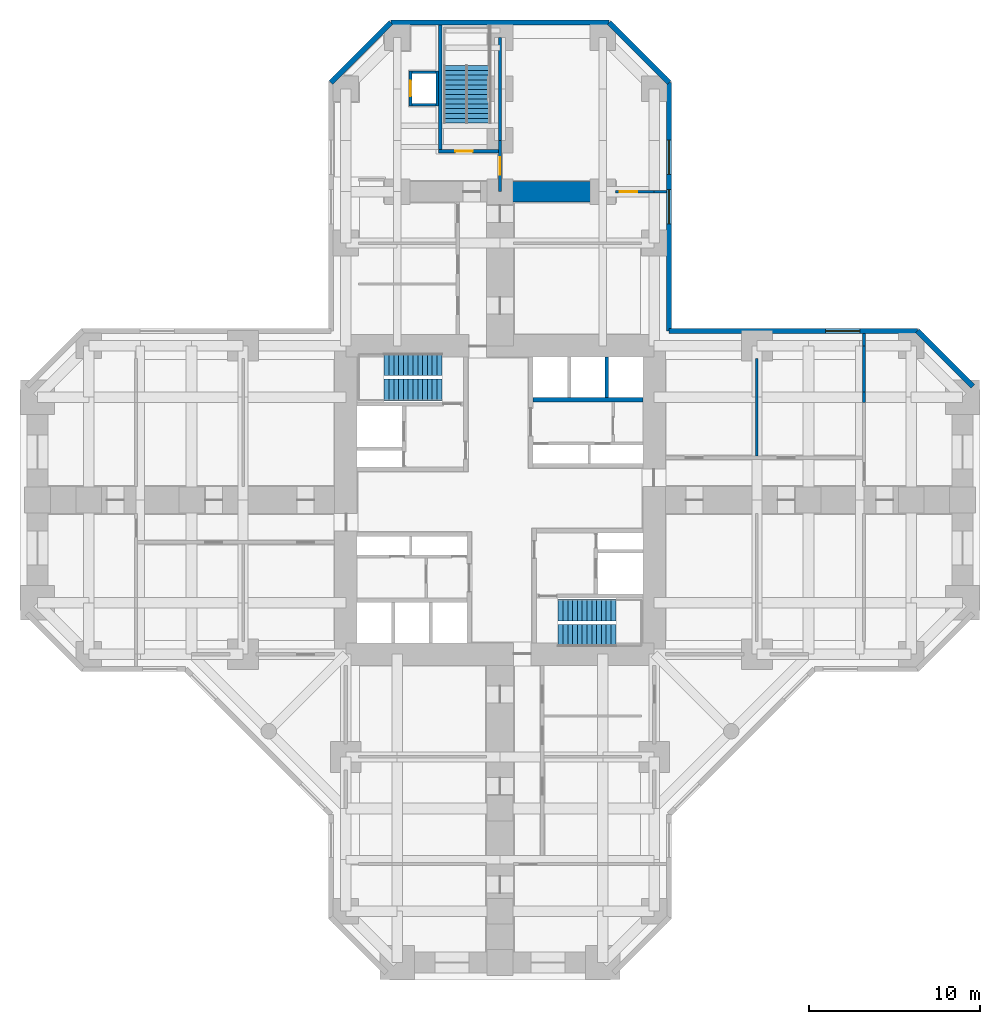
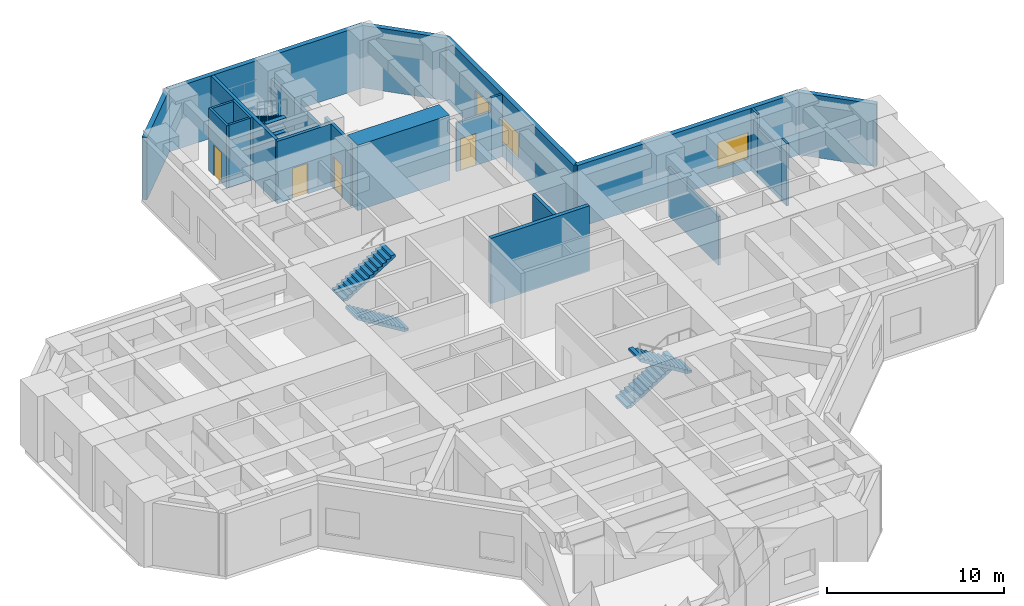
# One storey, part 7 of 8: 23 walls, 6 stair flights, 4 doors, 3 windows, 7 openings, 3 elements without a shape of their own.
"""IFC4 building model written with IfcOpenShell, lengths in metres."""

from ifc_helpers import new_model, si_unit, direction, frame, frame_2d, origin, place, context, subcontext, project, spatial, polyline, rectangle, hollow_rectangle, outline, extrude, material, layer, layer_set, constituent, constituent_set, type_object, element, fill, aggregate, save


model = new_model("IFC4")

# Units and contexts
model_context = context("Model", 3, precision=1e-05, world=origin(), true_north=direction((0.0, 1.0)))
body_context = subcontext(model_context, "Body", "Model", "MODEL_VIEW")
ifc_project = project(units=[si_unit("LENGTHUNIT", "METRE"), si_unit("AREAUNIT", "SQUARE_METRE"), si_unit("VOLUMEUNIT", "CUBIC_METRE"), si_unit("PLANEANGLEUNIT", "RADIAN"), si_unit("MASSUNIT", "GRAM", prefix="KILO")], contexts=[model_context])

# Site, building, storey
site_placement = place(None, origin())
site = spatial("IfcSite", under=ifc_project, at=site_placement, CompositionType="ELEMENT")
building_placement = place(site_placement, origin())
building = spatial("IfcBuilding", under=site, at=building_placement, Name="Torre Cruceta", CompositionType="ELEMENT")
storey_placement = place(building_placement, frame((0.0, 0.0, 9.5)))
storey = spatial("IfcBuildingStorey", under=building, at=storey_placement, Name="L02", CompositionType="ELEMENT", Elevation=9.5)

# Wall
ifc_material_1 = material(Name="Concrete G60 (fck 60 MPa)", Category="concrete")
ifc_layer_1 = layer(ifc_material_1, 0.25)
ifc_layer_set_1 = layer_set([ifc_layer_1], Name="Concrete G60 (fck 60 MPa)")
wall_type_1 = type_object("IfcWallType", Name="CORE INNER WALL 250 G60", PredefinedType="SHEAR", material=ifc_layer_set_1)
wall_1_placement = place(storey_placement, frame((1.925048828125, 5.85009765625, 0.0), z_axis=(0.0, 0.0, 1.0), x_axis=(1.0, 0.0, 0.0)))
element("IfcWall", 1, at=wall_1_placement, inside=storey, type_object=wall_type_1, Name="CW4 L02 NE-LV", PredefinedType="SHEAR", context=body_context, shape_type="SweptSolid", body=[
    extrude(rectangle(XDim=6.425048828125, YDim=0.25, at=frame_2d((3.21240234375, 0.0))), origin(), (0.0, 0.0, 1.0), 4.5),
])

# Wall, opening, door
ifc_material_2 = material(Name="Concrete G25 (fck 25 MPa)", Category="concrete")
ifc_layer_2 = layer(ifc_material_2, 0.199951171875)
ifc_layer_set_2 = layer_set([ifc_layer_2], Name="Concrete G25 (fck 25 MPa)")
wall_type_2 = type_object("IfcWallType", Name="CORRIDOR WALL 200", PredefinedType="SOLIDWALL", material=ifc_layer_set_2)
wall_2_placement = place(storey_placement, frame((0.0, 18.0, 0.0), z_axis=(0.0, 0.0, 1.0), x_axis=(0.0, 1.0, 0.0)))
wall_2 = element("IfcWall", 2, at=wall_2_placement, inside=storey, type_object=wall_type_2, Name="PT3 spine line L02 N", PredefinedType="SOLIDWALL", context=body_context, shape_type="SweptSolid", body=[
    extrude(rectangle(XDim=3.0, YDim=0.199951171875, at=frame_2d((1.5, 0.0))), origin(), (0.0, 0.0, 1.0), 4.300048828125),
])
opening_1_placement = place(wall_2_placement, frame((1.0, 0.0, 0.0)))
opening_1 = element("IfcOpeningElement", 3, at=opening_1_placement, cuts=wall_2, Name="Opening D14", PredefinedType="OPENING", context=body_context, shape_type="SweptSolid", body=[
    extrude(rectangle(XDim=1.0, YDim=2.199951171875, at=frame_2d((0.5, 1.10009765625))), frame((0.0, 0.10986328125, 0.0), z_axis=(0.0, -1.0, 0.0), x_axis=(1.0, 0.0, 0.0)), (0.0, 0.0, 1.0), 0.219970703125),
])
ifc_material_3 = material(Name="Steel DX51D", Category="steel")
ifc_constituent_1 = constituent(ifc_material_3, Name="Leaf and frame")
ifc_material_4 = material(Name="Polyester powder coating", Category="paint")
ifc_constituent_2 = constituent(ifc_material_4, Name="Finish")
ifc_material_5 = material(Name="Fire-resisting glass", Category="glass")
ifc_constituent_3 = constituent(ifc_material_5, Name="Vision panel")
ifc_constituent_set_1 = constituent_set(constituents=[ifc_constituent_1, ifc_constituent_2, ifc_constituent_3], Name="Steel fire door with vision panel")
door_type_1 = type_object("IfcDoorType", Name="FIRE DOOR VISION PANEL 1000X2200", OperationType="SINGLE_SWING_RIGHT", PredefinedType="DOOR", material=ifc_constituent_set_1)
door_1_placement = place(opening_1_placement, frame((1.0, 0.0, 0.0), z_axis=(0.0, 0.0, 1.0), x_axis=(-1.0, 0.0, 0.0)))
door_1 = element("IfcDoor", 4, at=door_1_placement, inside=storey, type_object=door_type_1, Name="D14 L02-N-SP3", OperationType="SINGLE_SWING_RIGHT", OverallHeight=2.199951171875, OverallWidth=1.0, PredefinedType="DOOR", context=body_context, shape_type="SweptSolid", body=[
    extrude(rectangle(XDim=1.0, YDim=2.199951171875, at=frame_2d((0.5, 1.10009765625))), frame((0.0, 0.025146484375, 0.0), z_axis=(0.0, -1.0, 0.0), x_axis=(1.0, 0.0, 0.0)), (0.0, 0.0, 1.0), 0.050048828125),
])
fill(opening_1, door_1)

# Walls
wall_3_placement = place(storey_placement, frame((0.0, 21.0, 0.0), z_axis=(0.0, 0.0, 1.0), x_axis=(0.0, 1.0, 0.0)))
element("IfcWall", 5, at=wall_3_placement, inside=storey, type_object=wall_type_2, Name="PT3 spine line L02 N 2", PredefinedType="SOLIDWALL", context=body_context, shape_type="SweptSolid", body=[
    extrude(rectangle(XDim=6.0, YDim=0.199951171875, at=frame_2d((3.0, 0.0))), origin(), (0.0, 0.0, 1.0), 3.300048828125),
])
ifc_material_6 = material(Name="Concrete G60 (fck 60 MPa)", Category="concrete")
ifc_layer_3 = layer(ifc_material_6, 1.199951171875)
ifc_layer_set_3 = layer_set([ifc_layer_3], Name="Concrete G60 (fck 60 MPa)")
wall_type_3 = type_object("IfcWallType", Name="CROSS WALL 1200 G60", PredefinedType="SHEAR", material=ifc_layer_set_3)
wall_4_placement = place(storey_placement, frame((0.0, 18.0, 0.0), z_axis=(0.0, 0.0, 1.0), x_axis=(1.0, 0.0, 0.0)))
element("IfcWall", 6, at=wall_4_placement, inside=storey, type_object=wall_type_3, Name="XW1 cross wall L02 N R", PredefinedType="SHEAR", context=body_context, shape_type="SweptSolid", body=[
    extrude(rectangle(XDim=6.0, YDim=1.199951171875, at=frame_2d((3.0, 0.0))), origin(), (0.0, 0.0, 1.0), 4.5),
])
ifc_material_7 = material(Name="Concrete G30 (fck 30 MPa)", Category="concrete")
ifc_layer_4 = layer(ifc_material_7, 0.300048828125)
ifc_layer_set_4 = layer_set([ifc_layer_4], Name="Concrete G30 (fck 30 MPa)")
wall_type_4 = type_object("IfcWallType", Name="EXPOSED CONCRETE FACADE WALL 300", PredefinedType="SOLIDWALL", material=ifc_layer_set_4)
wall_5_placement = place(storey_placement, frame((27.60009765625, 6.63037109375, 0.0), z_axis=(0.0, 0.0, 1.0), x_axis=(-0.707106781187, 0.707106781187, 0.0)))
element("IfcWall", 7, at=wall_5_placement, inside=storey, type_object=wall_type_4, Name="EW1 facade wall L02 E chamfer 03", PredefinedType="SOLIDWALL", context=body_context, shape_type="SweptSolid", body=[
    extrude(rectangle(XDim=4.581787109375, YDim=0.300048828125, at=frame_2d((2.291015625, 0.0))), origin(), (0.0, 0.0, 1.0), 4.300048828125),
])

# Wall, opening, window
wall_6_placement = place(storey_placement, frame((24.3603515625, 9.8701171875, 0.0), z_axis=(0.0, 0.0, 1.0), x_axis=(-1.0, 0.0, 0.0)))
wall_6 = element("IfcWall", 8, at=wall_6_placement, inside=storey, type_object=wall_type_4, Name="EW1 facade wall L02 E side 04", PredefinedType="SOLIDWALL", context=body_context, shape_type="SweptSolid", body=[
    extrude(rectangle(XDim=14.490234375, YDim=0.300048828125, at=frame_2d((7.2451171875, 0.0))), origin(), (0.0, 0.0, 1.0), 4.300048828125),
])
opening_2_placement = place(wall_6_placement, frame((3.34716796875, 0.0, 0.89990234375)))
opening_2 = element("IfcOpeningElement", 9, at=opening_2_placement, cuts=wall_6, Name="Opening WN1", PredefinedType="OPENING", context=body_context, shape_type="SweptSolid", body=[
    extrude(rectangle(XDim=2.0, YDim=1.800048828125, at=frame_2d((1.0, 0.89990234375))), frame((0.0, 0.159912109375, 0.0), z_axis=(0.0, -1.0, 0.0), x_axis=(1.0, 0.0, 0.0)), (0.0, 0.0, 1.0), 0.320068359375),
])
ifc_material_8 = material(Name="Aluminium window frame", Category="aluminium")
ifc_constituent_4 = constituent(ifc_material_8, Name="Frame")
ifc_material_9 = material(Name="Laminated insulating glass unit, low-iron clear", Category="glass")
ifc_constituent_5 = constituent(ifc_material_9, Name="Glazing")
ifc_constituent_set_2 = constituent_set(constituents=[ifc_constituent_4, ifc_constituent_5], Name="Aluminium window")
window_type = type_object("IfcWindowType", Name="SCHOOL WINDOW 2000X1800", PartitioningType="SINGLE_PANEL", PredefinedType="WINDOW", material=ifc_constituent_set_2)
window_1_placement = place(opening_2_placement, origin())
window_1 = element("IfcWindow", 10, at=window_1_placement, inside=storey, type_object=window_type, Name="WN1 L02 E 2", OverallHeight=1.800048828125, OverallWidth=2.0, PartitioningType="SINGLE_PANEL", PredefinedType="WINDOW", context=body_context, shape_type="SweptSolid", body=[
    extrude(hollow_rectangle(XDim=2.0, YDim=1.800048828125, WallThickness=0.06005859375, at=frame_2d((1.0, 0.89990234375))), frame((0.0, 0.030029296875, 0.0), z_axis=(0.0, -1.0, 0.0), x_axis=(1.0, 0.0, 0.0)), (0.0, 0.0, 1.0), 0.06005859375),
    extrude(rectangle(XDim=1.87890625, YDim=1.678955078125, at=frame_2d((1.0, 0.89990234375))), frame((0.0, 0.030029296875, 0.0), z_axis=(0.0, -1.0, 0.0), x_axis=(1.0, 0.0, 0.0)), (0.0, 0.0, 1.0), 0.06005859375),
])
fill(opening_2, window_1)

# Wall, openings, windows
wall_7_placement = place(storey_placement, frame((9.8701171875, 9.8701171875, 0.0), z_axis=(0.0, 0.0, 1.0), x_axis=(0.0, 1.0, 0.0)))
wall_7 = element("IfcWall", 11, at=wall_7_placement, inside=storey, type_object=wall_type_4, Name="EW1 facade wall L02 N side 05", PredefinedType="SOLIDWALL", context=body_context, shape_type="SweptSolid", body=[
    extrude(rectangle(XDim=14.490234375, YDim=0.300048828125, at=frame_2d((7.2451171875, 0.0))), origin(), (0.0, 0.0, 1.0), 4.300048828125),
])
opening_3_placement = place(wall_7_placement, frame((6.2451171875, 0.0, 0.89990234375)))
opening_3 = element("IfcOpeningElement", 12, at=opening_3_placement, cuts=wall_7, Name="Opening WN1", PredefinedType="OPENING", context=body_context, shape_type="SweptSolid", body=[
    extrude(rectangle(XDim=2.0, YDim=1.800048828125, at=frame_2d((1.0, 0.89990234375))), frame((0.0, 0.159912109375, 0.0), z_axis=(0.0, -1.0, 0.0), x_axis=(1.0, 0.0, 0.0)), (0.0, 0.0, 1.0), 0.320068359375),
])
opening_4_placement = place(wall_7_placement, frame((9.143310546875, 0.0, 0.89990234375)))
opening_4 = element("IfcOpeningElement", 13, at=opening_4_placement, cuts=wall_7, Name="Opening WN1", PredefinedType="OPENING", context=body_context, shape_type="SweptSolid", body=[
    extrude(rectangle(XDim=2.0, YDim=1.800048828125, at=frame_2d((1.0, 0.89990234375))), frame((0.0, 0.159912109375, 0.0), z_axis=(0.0, -1.0, 0.0), x_axis=(1.0, 0.0, 0.0)), (0.0, 0.0, 1.0), 0.320068359375),
])
window_2_placement = place(opening_3_placement, origin())
window_2 = element("IfcWindow", 14, at=window_2_placement, inside=storey, type_object=window_type, Name="WN1 L02 N 3", OverallHeight=1.800048828125, OverallWidth=2.0, PartitioningType="SINGLE_PANEL", PredefinedType="WINDOW", context=body_context, shape_type="SweptSolid", body=[
    extrude(hollow_rectangle(XDim=2.0, YDim=1.800048828125, WallThickness=0.06005859375, at=frame_2d((1.0, 0.89990234375))), frame((0.0, 0.030029296875, 0.0), z_axis=(0.0, -1.0, 0.0), x_axis=(1.0, 0.0, 0.0)), (0.0, 0.0, 1.0), 0.06005859375),
    extrude(rectangle(XDim=1.87890625, YDim=1.678955078125, at=frame_2d((1.0, 0.89990234375))), frame((0.0, 0.030029296875, 0.0), z_axis=(0.0, -1.0, 0.0), x_axis=(1.0, 0.0, 0.0)), (0.0, 0.0, 1.0), 0.06005859375),
])
fill(opening_3, window_2)
window_3_placement = place(opening_4_placement, origin())
window_3 = element("IfcWindow", 15, at=window_3_placement, inside=storey, type_object=window_type, Name="WN1 L02 N 4", OverallHeight=1.800048828125, OverallWidth=2.0, PartitioningType="SINGLE_PANEL", PredefinedType="WINDOW", context=body_context, shape_type="SweptSolid", body=[
    extrude(hollow_rectangle(XDim=2.0, YDim=1.800048828125, WallThickness=0.06005859375, at=frame_2d((1.0, 0.89990234375))), frame((0.0, 0.030029296875, 0.0), z_axis=(0.0, -1.0, 0.0), x_axis=(1.0, 0.0, 0.0)), (0.0, 0.0, 1.0), 0.06005859375),
    extrude(rectangle(XDim=1.87890625, YDim=1.678955078125, at=frame_2d((1.0, 0.89990234375))), frame((0.0, 0.030029296875, 0.0), z_axis=(0.0, -1.0, 0.0), x_axis=(1.0, 0.0, 0.0)), (0.0, 0.0, 1.0), 0.06005859375),
])
fill(opening_4, window_3)

# Walls
wall_8_placement = place(storey_placement, frame((9.8701171875, 24.3603515625, 0.0), z_axis=(0.0, 0.0, 1.0), x_axis=(-0.707106781187, 0.707106781187, 0.0)))
element("IfcWall", 16, at=wall_8_placement, inside=storey, type_object=wall_type_4, Name="EW1 facade wall L02 N chamfer 06", PredefinedType="SOLIDWALL", context=body_context, shape_type="SweptSolid", body=[
    extrude(rectangle(XDim=4.963623046875, YDim=0.300048828125, at=frame_2d((2.48193359375, 0.0))), origin(), (0.0, 0.0, 1.0), 4.300048828125),
])
wall_9_placement = place(storey_placement, frame((6.3603515625, 27.8701171875, 0.0), z_axis=(0.0, 0.0, 1.0), x_axis=(-1.0, 0.0, 0.0)))
element("IfcWall", 17, at=wall_9_placement, inside=storey, type_object=wall_type_4, Name="EW1 facade wall L02 N tip 07", PredefinedType="SOLIDWALL", context=body_context, shape_type="SweptSolid", body=[
    extrude(rectangle(XDim=12.720703125, YDim=0.300048828125, at=frame_2d((6.3603515625, 0.0))), origin(), (0.0, 0.0, 1.0), 4.300048828125),
])
wall_10_placement = place(storey_placement, frame((-6.3603515625, 27.8701171875, 0.0), z_axis=(0.0, 0.0, 1.0), x_axis=(-0.707106781187, -0.707106781187, 0.0)))
element("IfcWall", 18, at=wall_10_placement, inside=storey, type_object=wall_type_4, Name="EW1 facade wall L02 N chamfer 08", PredefinedType="SOLIDWALL", context=body_context, shape_type="SweptSolid", body=[
    extrude(rectangle(XDim=4.963623046875, YDim=0.300048828125, at=frame_2d((2.48193359375, 0.0))), origin(), (0.0, 0.0, 1.0), 4.300048828125),
])
ifc_material_10 = material(Name="Concrete block masonry", Category="masonry")
ifc_layer_5 = layer(ifc_material_10, 0.14990234375)
ifc_layer_set_5 = layer_set([ifc_layer_5], Name="Concrete block masonry")
wall_type_5 = type_object("IfcWallType", Name="LIFT SHAFT WALL 150", PredefinedType="PARTITIONING", material=ifc_layer_set_5)
wall_11_placement = place(storey_placement, frame((-3.675048828125, 23.0, 0.0), z_axis=(0.0, 0.0, 1.0), x_axis=(0.0, 1.0, 0.0)))
element("IfcWall", 19, at=wall_11_placement, inside=storey, type_object=wall_type_5, Name="PT7 L02-N-LS1A", PredefinedType="PARTITIONING", context=body_context, shape_type="SweptSolid", body=[
    extrude(rectangle(XDim=2.050048828125, YDim=0.14990234375, at=frame_2d((1.02490234375, 0.0))), origin(), (0.0, 0.0, 1.0), 4.300048828125),
])

# Wall, opening, door
wall_12_placement = place(storey_placement, frame((-5.22509765625, 23.0, 0.0), z_axis=(0.0, 0.0, 1.0), x_axis=(0.0, 1.0, 0.0)))
wall_12 = element("IfcWall", 20, at=wall_12_placement, inside=storey, type_object=wall_type_5, Name="PT7 L02-N-LS1B", PredefinedType="PARTITIONING", context=body_context, shape_type="SweptSolid", body=[
    extrude(rectangle(XDim=2.050048828125, YDim=0.14990234375, at=frame_2d((1.02490234375, 0.0))), origin(), (0.0, 0.0, 1.0), 4.300048828125),
])
opening_5_placement = place(wall_12_placement, frame((0.574951171875, 0.0, 0.0)))
opening_5 = element("IfcOpeningElement", 21, at=opening_5_placement, cuts=wall_12, Name="Opening LD2", PredefinedType="OPENING", context=body_context, shape_type="SweptSolid", body=[
    extrude(rectangle(XDim=0.89990234375, YDim=2.10009765625, at=frame_2d((0.449951171875, 1.050048828125))), frame((0.0, 0.0849609375, 0.0), z_axis=(0.0, -1.0, 0.0), x_axis=(1.0, 0.0, 0.0)), (0.0, 0.0, 1.0), 0.169921875),
])
ifc_material_11 = material(Name="Stainless steel 1.4401", Category="steel")
door_type_2 = type_object("IfcDoorType", Name="PLATFORM LIFT LANDING DOOR 900X2100", OperationType="DOUBLE_DOOR_SLIDING", PredefinedType="DOOR", material=ifc_material_11)
door_2_placement = place(opening_5_placement, origin())
door_2 = element("IfcDoor", 22, at=door_2_placement, inside=storey, type_object=door_type_2, Name="LD2 L02-N-LS1B-D1", OperationType="DOUBLE_DOOR_SLIDING", OverallHeight=2.10009765625, OverallWidth=0.89990234375, PredefinedType="DOOR", context=body_context, shape_type="SweptSolid", body=[
    extrude(rectangle(XDim=0.89990234375, YDim=2.10009765625, at=frame_2d((0.449951171875, 1.050048828125))), frame((0.0, 0.02490234375, 0.0), z_axis=(0.0, -1.0, 0.0), x_axis=(1.0, 0.0, 0.0)), (0.0, 0.0, 1.0), 0.050048828125),
])
fill(opening_5, door_2)

# Walls
for number, where, z_axis, x_axis, name in (
    (23, (-3.75, 23.074951171875, 0.0), (0.0, 0.0, 1.0), (-1.0, 0.0, 0.0), "PT7 L02-N-LS1C"),
    (24, (-3.75, 24.97509765625, 0.0), (0.0, 0.0, 1.0), (-1.0, 0.0, 0.0), "PT7 L02-N-LS1D"),
):
    element("IfcWall", number, at=place(storey_placement, frame(where, z_axis=z_axis, x_axis=x_axis)), inside=storey, type_object=wall_type_5, Name=name, PredefinedType="PARTITIONING", context=body_context, shape_type="SweptSolid", body=[
        extrude(rectangle(XDim=1.39990234375, YDim=0.14990234375, at=frame_2d((0.699951171875, 0.0))), origin(), (0.0, 0.0, 1.0), 4.300048828125),
    ])
ifc_material_12 = material(Name="Concrete G35 (fck 35 MPa)", Category="concrete")
ifc_layer_6 = layer(ifc_material_12, 0.199951171875)
ifc_layer_set_6 = layer_set([ifc_layer_6], Name="Concrete G35 (fck 35 MPa)")
wall_type_6 = type_object("IfcWallType", Name="LIFT SHAFT WALL 200", PredefinedType="PARTITIONING", material=ifc_layer_set_6)
wall_13_placement = place(storey_placement, frame((6.24169921875, 5.97509765625, 0.0), z_axis=(0.0, 0.0, 1.0), x_axis=(0.0, 1.0, 0.0)))
element("IfcWall", 25, at=wall_13_placement, inside=storey, type_object=wall_type_6, Name="SW1 L02 NE-LS2", PredefinedType="PARTITIONING", context=body_context, shape_type="SweptSolid", body=[
    extrude(rectangle(XDim=2.375, YDim=0.199951171875, at=frame_2d((1.1875, 0.0))), origin(), (0.0, 0.0, 1.0), 4.5),
])

# Wall, opening, door
ifc_material_13 = material(Name="Plasterboard on steel studs", Category="steel")
ifc_layer_7 = layer(ifc_material_13, 0.14990234375)
ifc_layer_set_7 = layer_set([ifc_layer_7], Name="Plasterboard on steel studs")
wall_type_7 = type_object("IfcWallType", Name="PARTITION 150", PredefinedType="PARTITIONING", material=ifc_layer_set_7)
wall_14_placement = place(storey_placement, frame((6.75, 18.0, 0.0), z_axis=(0.0, 0.0, 1.0), x_axis=(1.0, 0.0, 0.0)))
wall_14 = element("IfcWall", 26, at=wall_14_placement, inside=storey, type_object=wall_type_7, Name="PT1 L02-N-LABX", PredefinedType="PARTITIONING", context=body_context, shape_type="SweptSolid", body=[
    extrude(rectangle(XDim=2.25, YDim=0.14990234375, at=frame_2d((1.125, 0.0))), origin(), (0.0, 0.0, 1.0), 3.35009765625),
])
opening_6_placement = place(wall_14_placement, frame((0.25, 0.0, 0.0)))
opening_6 = element("IfcOpeningElement", 27, at=opening_6_placement, cuts=wall_14, Name="Opening D14", PredefinedType="OPENING", context=body_context, shape_type="SweptSolid", body=[
    extrude(rectangle(XDim=1.0, YDim=2.199951171875, at=frame_2d((0.5, 1.10009765625))), frame((0.0, 0.0849609375, 0.0), z_axis=(0.0, -1.0, 0.0), x_axis=(1.0, 0.0, 0.0)), (0.0, 0.0, 1.0), 0.169921875),
])
door_3_placement = place(opening_6_placement, frame((1.0, 0.0, 0.0), z_axis=(0.0, 0.0, 1.0), x_axis=(-1.0, 0.0, 0.0)))
door_3 = element("IfcDoor", 28, at=door_3_placement, inside=storey, type_object=door_type_1, Name="D14 L02-N-LABX-D1", OperationType="SINGLE_SWING_RIGHT", OverallHeight=2.199951171875, OverallWidth=1.0, PredefinedType="DOOR", context=body_context, shape_type="SweptSolid", body=[
    extrude(rectangle(XDim=1.0, YDim=2.199951171875, at=frame_2d((0.5, 1.10009765625))), frame((0.0, 0.025146484375, 0.0), z_axis=(0.0, -1.0, 0.0), x_axis=(1.0, 0.0, 0.0)), (0.0, 0.0, 1.0), 0.050048828125),
])
fill(opening_6, door_3)

# Walls
wall_15_placement = place(storey_placement, frame((9.0, 18.0, 0.0), z_axis=(0.0, 0.0, 1.0), x_axis=(1.0, 0.0, 0.0)))
element("IfcWall", 29, at=wall_15_placement, inside=storey, type_object=wall_type_7, Name="PT1 L02-N-LABX 2", PredefinedType="PARTITIONING", context=body_context, shape_type="SweptSolid", body=[
    extrude(rectangle(XDim=0.719970703125, YDim=0.14990234375, at=frame_2d((0.35986328125, 0.0))), origin(), (0.0, 0.0, 1.0), 4.300048828125),
])
wall_16_placement = place(storey_placement, frame((15.0, 2.574951171875, 0.0), z_axis=(0.0, 0.0, 1.0), x_axis=(0.0, 1.0, 0.0)))
element("IfcWall", 30, at=wall_16_placement, inside=storey, type_object=wall_type_7, Name="PT1 L02-E-P1L", PredefinedType="PARTITIONING", context=body_context, shape_type="SweptSolid", body=[
    extrude(rectangle(XDim=5.675048828125, YDim=0.14990234375, at=frame_2d((2.83740234375, 0.0))), origin(), (0.0, 0.0, 1.0), 3.35009765625),
])
wall_17_placement = place(storey_placement, frame((21.25, 5.699951171875, 0.0), z_axis=(0.0, 0.0, 1.0), x_axis=(0.0, 1.0, 0.0)))
element("IfcWall", 31, at=wall_17_placement, inside=storey, type_object=wall_type_7, Name="PT1 L02-E-ENDb 2", PredefinedType="PARTITIONING", context=body_context, shape_type="SweptSolid", body=[
    extrude(rectangle(XDim=0.60009765625, YDim=0.14990234375, at=frame_2d((0.300048828125, 0.0))), origin(), (0.0, 0.0, 1.0), 4.300048828125),
])
wall_18_placement = place(storey_placement, frame((21.25, 6.300048828125, 0.0), z_axis=(0.0, 0.0, 1.0), x_axis=(0.0, 1.0, 0.0)))
element("IfcWall", 32, at=wall_18_placement, inside=storey, type_object=wall_type_7, Name="PT1 L02-E-ENDb 3", PredefinedType="PARTITIONING", context=body_context, shape_type="SweptSolid", body=[
    extrude(rectangle(XDim=2.699951171875, YDim=0.14990234375, at=frame_2d((1.35009765625, 0.0))), origin(), (0.0, 0.0, 1.0), 3.35009765625),
])
wall_19_placement = place(storey_placement, frame((21.25, 9.0, 0.0), z_axis=(0.0, 0.0, 1.0), x_axis=(0.0, 1.0, 0.0)))
element("IfcWall", 33, at=wall_19_placement, inside=storey, type_object=wall_type_7, Name="PT1 L02-E-ENDb 4", PredefinedType="PARTITIONING", context=body_context, shape_type="SweptSolid", body=[
    extrude(rectangle(XDim=0.719970703125, YDim=0.14990234375, at=frame_2d((0.35986328125, 0.0))), origin(), (0.0, 0.0, 1.0), 4.300048828125),
])

# Wall, opening, door
ifc_material_14 = material(Name="Concrete G25 (fck 25 MPa)", Category="concrete")
ifc_layer_8 = layer(ifc_material_14, 0.199951171875)
ifc_layer_set_8 = layer_set([ifc_layer_8], Name="Concrete G25 (fck 25 MPa)")
wall_type_8 = type_object("IfcWallType", Name="UNIT SEPARATING WALL 200", PredefinedType="SOLIDWALL", material=ifc_layer_set_8)
wall_20_placement = place(storey_placement, frame((-0.10009765625, 20.35009765625, 0.0), z_axis=(0.0, 0.0, 1.0), x_axis=(-1.0, 0.0, 0.0)))
wall_20 = element("IfcWall", 34, at=wall_20_placement, inside=storey, type_object=wall_type_8, Name="PT2 L02-N-SB1", PredefinedType="SOLIDWALL", context=body_context, shape_type="SweptSolid", body=[
    extrude(rectangle(XDim=3.5, YDim=0.199951171875, at=frame_2d((1.75, 0.0))), origin(), (0.0, 0.0, 1.0), 4.300048828125),
])
opening_7_placement = place(wall_20_placement, frame((1.5, 0.0, 0.0)))
opening_7 = element("IfcOpeningElement", 35, at=opening_7_placement, cuts=wall_20, Name="Opening D3", PredefinedType="OPENING", context=body_context, shape_type="SweptSolid", body=[
    extrude(rectangle(XDim=1.0, YDim=2.10009765625, at=frame_2d((0.5, 1.050048828125))), frame((0.0, 0.10986328125, 0.0), z_axis=(0.0, -1.0, 0.0), x_axis=(1.0, 0.0, 0.0)), (0.0, 0.0, 1.0), 0.219970703125),
])
ifc_material_15 = material(Name="Steel DX51D", Category="steel")
ifc_constituent_6 = constituent(ifc_material_15, Name="Leaf and frame")
ifc_material_16 = material(Name="Polyester powder coating", Category="paint")
ifc_constituent_7 = constituent(ifc_material_16, Name="Finish")
ifc_constituent_set_3 = constituent_set(constituents=[ifc_constituent_6, ifc_constituent_7], Name="Steel fire door")
door_type_3 = type_object("IfcDoorType", Name="FIRE DOOR 1000X2100", OperationType="SINGLE_SWING_LEFT", PredefinedType="DOOR", material=ifc_constituent_set_3)
door_4_placement = place(opening_7_placement, frame((1.0, 0.0, 0.0), z_axis=(0.0, 0.0, 1.0), x_axis=(-1.0, 0.0, 0.0)))
door_4 = element("IfcDoor", 36, at=door_4_placement, inside=storey, type_object=door_type_3, Name="D3 L02-N-SB1-D1", OperationType="SINGLE_SWING_LEFT", OverallHeight=2.10009765625, OverallWidth=1.0, PredefinedType="DOOR", context=body_context, shape_type="SweptSolid", body=[
    extrude(rectangle(XDim=1.0, YDim=2.10009765625, at=frame_2d((0.5, 1.050048828125))), frame((0.0, 0.025146484375, 0.0), z_axis=(0.0, -1.0, 0.0), x_axis=(1.0, 0.0, 0.0)), (0.0, 0.0, 1.0), 0.050048828125),
])
fill(opening_7, door_4)

# Wall
wall_21_placement = place(storey_placement, frame((-3.5, 20.449951171875, 0.0), z_axis=(0.0, 0.0, 1.0), x_axis=(0.0, 1.0, 0.0)))
element("IfcWall", 37, at=wall_21_placement, inside=storey, type_object=wall_type_8, Name="PT2 L02-N-ST3W", PredefinedType="SOLIDWALL", context=body_context, shape_type="SweptSolid", body=[
    extrude(rectangle(XDim=7.27001953125, YDim=0.199951171875, at=frame_2d((3.635009765625, 0.0))), origin(), (0.0, 0.0, 1.0), 4.300048828125),
])

# Stair, stair flights
ifc_material_17 = material(Name="Concrete G30 (fck 30 MPa)", Category="concrete")
stair_type = type_object("IfcStairType", Name="STAIR HALF-TURN 1300", PredefinedType="HALF_TURN_STAIR", material=ifc_material_17)
stair_1_placement = place(storey_placement, origin())
stair_1 = element("IfcStair", 38, at=stair_1_placement, inside=storey, type_object=stair_type, Name="Stair ST1 L02", PredefinedType="HALF_TURN_STAIR")
ifc_material_18 = material(Name="Concrete G30 (fck 30 MPa)", Category="concrete")
stair_flight_type = type_object("IfcStairFlightType", Name="STAIR FLIGHT 1300", PredefinedType="STRAIGHT", material=ifc_material_18)
stair_flight_1_placement = place(storey_placement, frame((-3.39990234375, 6.425048828125, 0.0), z_axis=(0.0, 0.0, 1.0), x_axis=(-1.0, 0.0, 0.0)))
stair_flight_1 = element("IfcStairFlight", 39, at=stair_flight_1_placement, type_object=stair_flight_type, Name="ST1 flight 1", NumberOfRisers=13, NumberOfTreads=12, PredefinedType="STRAIGHT", RiserHeight=0.173076923, TreadLength=0.28, context=body_context, shape_type="SweptSolid", body=[
    extrude(outline(polyline([(0.0, 0.0), (0.0, 0.173095703125), (0.280029296875, 0.173095703125), (0.280029296875, 0.34619140625), (0.56005859375, 0.34619140625), (0.56005859375, 0.519287109375), (0.840087890625, 0.519287109375), (0.840087890625, 0.6923828125), (1.1201171875, 0.6923828125), (1.1201171875, 0.865478515625), (1.39990234375, 0.865478515625), (1.39990234375, 1.03857421875), (1.679931640625, 1.03857421875), (1.679931640625, 1.21142578125), (1.9599609375, 1.21142578125), (1.9599609375, 1.384521484375), (2.239990234375, 1.384521484375), (2.239990234375, 1.5576171875), (2.52001953125, 1.5576171875), (2.52001953125, 1.730712890625), (2.800048828125, 1.730712890625), (2.800048828125, 1.90380859375), (3.080078125, 1.90380859375), (3.080078125, 2.076904296875), (3.360107421875, 2.076904296875), (3.360107421875, 2.25), (3.360107421875, 1.900634765625), (0.28515625, 0.0), (0.0, 0.0)])), frame((0.0, 0.64990234375, 0.0), z_axis=(0.0, -1.0, 0.0), x_axis=(1.0, 0.0, 0.0)), (0.0, 0.0, 1.0), 1.300048828125),
])
stair_flight_2_placement = place(storey_placement, frame((-6.760009765625, 7.925048828125, 2.25), z_axis=(0.0, 0.0, 1.0), x_axis=(1.0, 0.0, 0.0)))
stair_flight_2 = element("IfcStairFlight", 40, at=stair_flight_2_placement, type_object=stair_flight_type, Name="ST1 flight 2", NumberOfRisers=13, NumberOfTreads=12, PredefinedType="STRAIGHT", RiserHeight=0.173076923, TreadLength=0.28, context=body_context, shape_type="SweptSolid", body=[
    extrude(outline(polyline([(0.0, 0.0), (0.0, 0.173095703125), (0.280029296875, 0.173095703125), (0.280029296875, 0.34619140625), (0.56005859375, 0.34619140625), (0.56005859375, 0.519287109375), (0.840087890625, 0.519287109375), (0.840087890625, 0.6923828125), (1.1201171875, 0.6923828125), (1.1201171875, 0.865478515625), (1.39990234375, 0.865478515625), (1.39990234375, 1.03857421875), (1.679931640625, 1.03857421875), (1.679931640625, 1.21142578125), (1.9599609375, 1.21142578125), (1.9599609375, 1.384521484375), (2.239990234375, 1.384521484375), (2.239990234375, 1.5576171875), (2.52001953125, 1.5576171875), (2.52001953125, 1.730712890625), (2.800048828125, 1.730712890625), (2.800048828125, 1.90380859375), (3.080078125, 1.90380859375), (3.080078125, 2.076904296875), (3.360107421875, 2.076904296875), (3.360107421875, 2.25), (3.360107421875, 1.900634765625), (0.28515625, 0.0), (0.0, 0.0)])), frame((0.0, 0.64990234375, 0.0), z_axis=(0.0, -1.0, 0.0), x_axis=(1.0, 0.0, 0.0)), (0.0, 0.0, 1.0), 1.300048828125),
])
aggregate(stair_1, [stair_flight_1, stair_flight_2])

stair_2_placement = place(storey_placement, origin())
stair_2 = element("IfcStair", 41, at=stair_2_placement, inside=storey, type_object=stair_type, Name="Stair ST2 L02", PredefinedType="HALF_TURN_STAIR")
stair_flight_3_placement = place(storey_placement, frame((3.39990234375, -6.425048828125, 0.0), z_axis=(0.0, 0.0, 1.0), x_axis=(1.0, 0.0, 0.0)))
stair_flight_3 = element("IfcStairFlight", 42, at=stair_flight_3_placement, type_object=stair_flight_type, Name="ST2 flight 1", NumberOfRisers=13, NumberOfTreads=12, PredefinedType="STRAIGHT", RiserHeight=0.173076923, TreadLength=0.28, context=body_context, shape_type="SweptSolid", body=[
    extrude(outline(polyline([(0.0, 0.0), (0.0, 0.173095703125), (0.280029296875, 0.173095703125), (0.280029296875, 0.34619140625), (0.56005859375, 0.34619140625), (0.56005859375, 0.519287109375), (0.840087890625, 0.519287109375), (0.840087890625, 0.6923828125), (1.1201171875, 0.6923828125), (1.1201171875, 0.865478515625), (1.39990234375, 0.865478515625), (1.39990234375, 1.03857421875), (1.679931640625, 1.03857421875), (1.679931640625, 1.21142578125), (1.9599609375, 1.21142578125), (1.9599609375, 1.384521484375), (2.239990234375, 1.384521484375), (2.239990234375, 1.5576171875), (2.52001953125, 1.5576171875), (2.52001953125, 1.730712890625), (2.800048828125, 1.730712890625), (2.800048828125, 1.90380859375), (3.080078125, 1.90380859375), (3.080078125, 2.076904296875), (3.360107421875, 2.076904296875), (3.360107421875, 2.25), (3.360107421875, 1.900634765625), (0.28515625, 0.0), (0.0, 0.0)])), frame((0.0, 0.64990234375, 0.0), z_axis=(0.0, -1.0, 0.0), x_axis=(1.0, 0.0, 0.0)), (0.0, 0.0, 1.0), 1.300048828125),
])
stair_flight_4_placement = place(storey_placement, frame((6.760009765625, -7.925048828125, 2.25), z_axis=(0.0, 0.0, 1.0), x_axis=(-1.0, 0.0, 0.0)))
stair_flight_4 = element("IfcStairFlight", 43, at=stair_flight_4_placement, type_object=stair_flight_type, Name="ST2 flight 2", NumberOfRisers=13, NumberOfTreads=12, PredefinedType="STRAIGHT", RiserHeight=0.173076923, TreadLength=0.28, context=body_context, shape_type="SweptSolid", body=[
    extrude(outline(polyline([(0.0, 0.0), (0.0, 0.173095703125), (0.280029296875, 0.173095703125), (0.280029296875, 0.34619140625), (0.56005859375, 0.34619140625), (0.56005859375, 0.519287109375), (0.840087890625, 0.519287109375), (0.840087890625, 0.6923828125), (1.1201171875, 0.6923828125), (1.1201171875, 0.865478515625), (1.39990234375, 0.865478515625), (1.39990234375, 1.03857421875), (1.679931640625, 1.03857421875), (1.679931640625, 1.21142578125), (1.9599609375, 1.21142578125), (1.9599609375, 1.384521484375), (2.239990234375, 1.384521484375), (2.239990234375, 1.5576171875), (2.52001953125, 1.5576171875), (2.52001953125, 1.730712890625), (2.800048828125, 1.730712890625), (2.800048828125, 1.90380859375), (3.080078125, 1.90380859375), (3.080078125, 2.076904296875), (3.360107421875, 2.076904296875), (3.360107421875, 2.25), (3.360107421875, 1.900634765625), (0.28515625, 0.0), (0.0, 0.0)])), frame((0.0, 0.64990234375, 0.0), z_axis=(0.0, -1.0, 0.0), x_axis=(1.0, 0.0, 0.0)), (0.0, 0.0, 1.0), 1.300048828125),
])
aggregate(stair_2, [stair_flight_3, stair_flight_4])

stair_3_placement = place(storey_placement, origin())
stair_3 = element("IfcStair", 44, at=stair_3_placement, inside=storey, type_object=stair_type, Name="Stair ST3 L02", PredefinedType="HALF_TURN_STAIR")
stair_flight_5_placement = place(storey_placement, frame((-1.25, 22.0, 0.0), z_axis=(0.0, 0.0, 1.0), x_axis=(0.0, 1.0, 0.0)))
stair_flight_5 = element("IfcStairFlight", 45, at=stair_flight_5_placement, type_object=stair_flight_type, Name="ST3 flight 1", NumberOfRisers=13, NumberOfTreads=12, PredefinedType="STRAIGHT", RiserHeight=0.173076923, TreadLength=0.28, context=body_context, shape_type="SweptSolid", body=[
    extrude(outline(polyline([(0.0, 0.0), (0.0, 0.173095703125), (0.280029296875, 0.173095703125), (0.280029296875, 0.34619140625), (0.56005859375, 0.34619140625), (0.56005859375, 0.519287109375), (0.840087890625, 0.519287109375), (0.840087890625, 0.6923828125), (1.1201171875, 0.6923828125), (1.1201171875, 0.865478515625), (1.39990234375, 0.865478515625), (1.39990234375, 1.03857421875), (1.679931640625, 1.03857421875), (1.679931640625, 1.21142578125), (1.9599609375, 1.21142578125), (1.9599609375, 1.384521484375), (2.239990234375, 1.384521484375), (2.239990234375, 1.5576171875), (2.52001953125, 1.5576171875), (2.52001953125, 1.730712890625), (2.800048828125, 1.730712890625), (2.800048828125, 1.90380859375), (3.080078125, 1.90380859375), (3.080078125, 2.076904296875), (3.360107421875, 2.076904296875), (3.360107421875, 2.25), (3.360107421875, 1.900634765625), (0.28515625, 0.0), (0.0, 0.0)])), frame((0.0, 0.64990234375, 0.0), z_axis=(0.0, -1.0, 0.0), x_axis=(1.0, 0.0, 0.0)), (0.0, 0.0, 1.0), 1.300048828125),
])
stair_flight_6_placement = place(storey_placement, frame((-2.64990234375, 25.360107421875, 2.25), z_axis=(0.0, 0.0, 1.0), x_axis=(0.0, -1.0, 0.0)))
stair_flight_6 = element("IfcStairFlight", 46, at=stair_flight_6_placement, type_object=stair_flight_type, Name="ST3 flight 2", NumberOfRisers=13, NumberOfTreads=12, PredefinedType="STRAIGHT", RiserHeight=0.173076923, TreadLength=0.28, context=body_context, shape_type="SweptSolid", body=[
    extrude(outline(polyline([(0.0, 0.0), (0.0, 0.173095703125), (0.280029296875, 0.173095703125), (0.280029296875, 0.34619140625), (0.56005859375, 0.34619140625), (0.56005859375, 0.519287109375), (0.840087890625, 0.519287109375), (0.840087890625, 0.6923828125), (1.1201171875, 0.6923828125), (1.1201171875, 0.865478515625), (1.39990234375, 0.865478515625), (1.39990234375, 1.03857421875), (1.679931640625, 1.03857421875), (1.679931640625, 1.21142578125), (1.9599609375, 1.21142578125), (1.9599609375, 1.384521484375), (2.239990234375, 1.384521484375), (2.239990234375, 1.5576171875), (2.52001953125, 1.5576171875), (2.52001953125, 1.730712890625), (2.800048828125, 1.730712890625), (2.800048828125, 1.90380859375), (3.080078125, 1.90380859375), (3.080078125, 2.076904296875), (3.360107421875, 2.076904296875), (3.360107421875, 2.25), (3.360107421875, 1.900634765625), (0.28515625, 0.0), (0.0, 0.0)])), frame((0.0, 0.64990234375, 0.0), z_axis=(0.0, -1.0, 0.0), x_axis=(1.0, 0.0, 0.0)), (0.0, 0.0, 1.0), 1.300048828125),
])
aggregate(stair_3, [stair_flight_5, stair_flight_6])

save(model, "model.ifc")
